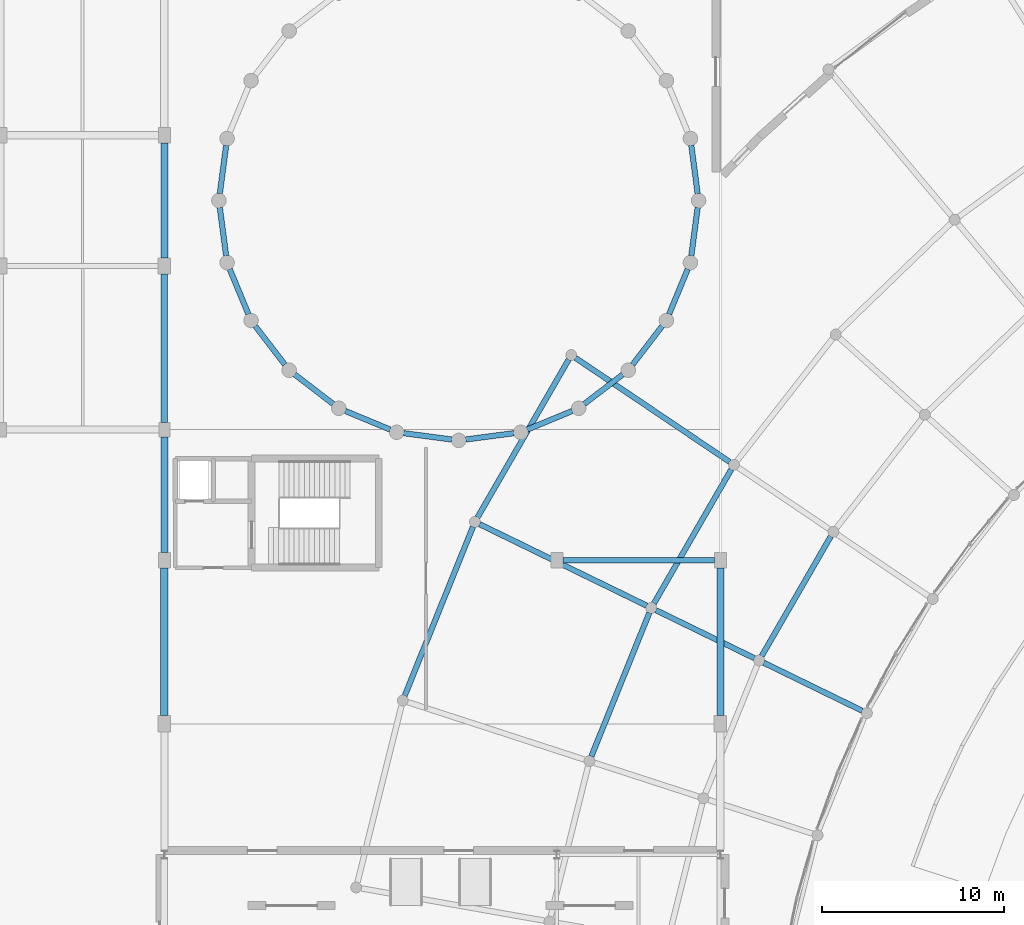
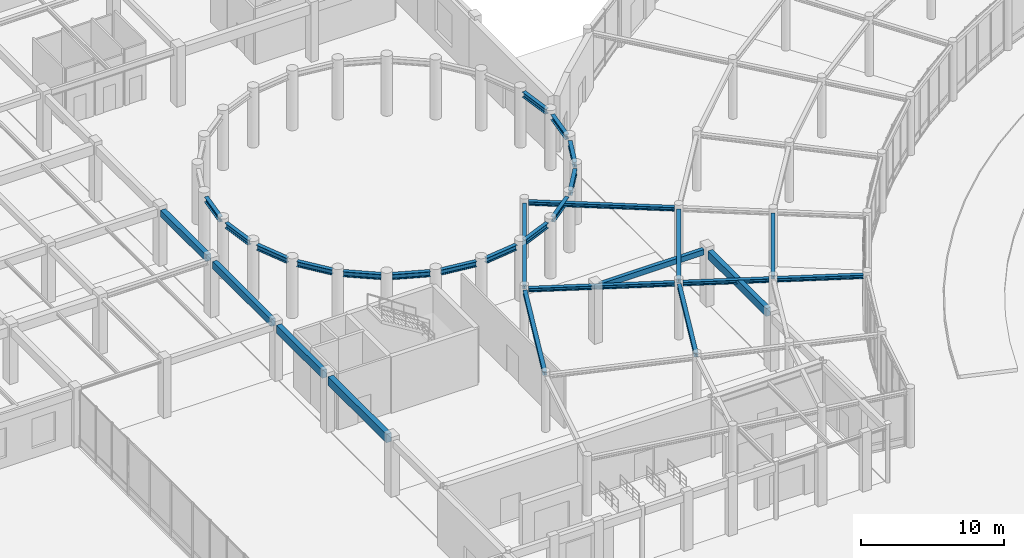
# One storey, part 18 of 64: 29 beams.
"""IFC4 building model written with IfcOpenShell, lengths in metres."""

from ifc_helpers import new_model, si_unit, direction, frame, origin, origin_2d, place, context, subcontext, project, spatial, rectangle, i_section, extrude, material, material_profile, profile_set, type_object, element, save


model = new_model("IFC4")

# Units and contexts
model_context = context("Model", 3, precision=1e-05, world=origin(), true_north=direction((0.0, 1.0)))
body_context = subcontext(model_context, "Body", "Model", "MODEL_VIEW")
ifc_project = project(units=[si_unit("LENGTHUNIT", "METRE"), si_unit("AREAUNIT", "SQUARE_METRE"), si_unit("VOLUMEUNIT", "CUBIC_METRE"), si_unit("PLANEANGLEUNIT", "RADIAN"), si_unit("MASSUNIT", "GRAM", prefix="KILO")], contexts=[model_context])

# Site, building, storey
site_placement = place(None, origin())
site = spatial("IfcSite", under=ifc_project, at=site_placement, CompositionType="ELEMENT")
building_placement = place(site_placement, origin())
building = spatial("IfcBuilding", under=site, at=building_placement, Name="Clarverna Civic Hall", CompositionType="ELEMENT")
storey_placement = place(building_placement, origin())
storey = spatial("IfcBuildingStorey", under=building, at=storey_placement, Name="L00", CompositionType="ELEMENT", Elevation=0.0)

# Beams
ifc_material_1 = material(Name="Concrete C35/45", Category="concrete")
ifc_material_profile_1 = material_profile(ifc_material_1, rectangle(XDim=0.300048828125, YDim=0.449951171875, at=origin_2d()), Name="RC 300x450")
ifc_profile_set_1 = profile_set([ifc_material_profile_1], Name="Concrete C35/45")
beam_type_1 = type_object("IfcBeamType", Name="B-RC18", PredefinedType="BEAM", material=ifc_profile_set_1)
beam_1_placement = place(storey_placement, frame((88.52490234375, 39.199951171875, 4.554931640625), z_axis=(1.0, 0.0, 0.0), x_axis=(0.0, 1.0, 0.0)))
element("IfcBeam", 1, at=beam_1_placement, inside=storey, type_object=beam_type_1, Name="B-RC18-014", PredefinedType="BEAM", context=body_context, shape_type="SweptSolid", body=[
    extrude(rectangle(XDim=0.300048828125, YDim=0.449951171875, at=origin_2d()), origin(), (0.0, 0.0, 1.0), 8.35009765625),
])
ifc_material_profile_2 = material_profile(ifc_material_1, rectangle(XDim=0.419921875, YDim=0.719970703125, at=origin_2d()), Name="RC 420x720")
ifc_profile_set_2 = profile_set([ifc_material_profile_2], Name="Concrete C35/45")
beam_type_2 = type_object("IfcBeamType", Name="B-SP1", PredefinedType="SPANDREL", material=ifc_profile_set_2)
beam_2_placement = place(storey_placement, frame((66.60009765625, 30.64990234375, 4.419921875), z_axis=(0.0, 1.0, 0.0), x_axis=(-1.0, 0.0, 0.0)))
element("IfcBeam", 2, at=beam_2_placement, inside=storey, type_object=beam_type_2, Name="B-SP1-050", PredefinedType="SPANDREL", context=body_context, shape_type="SweptSolid", body=[
    extrude(rectangle(XDim=0.419921875, YDim=0.719970703125, at=origin_2d()), origin(), (0.0, 0.0, 1.0), 8.125),
])
ifc_material_profile_3 = material_profile(ifc_material_1, rectangle(XDim=0.3798828125, YDim=0.679931640625, at=origin_2d()), Name="RC 380x680")
ifc_profile_set_3 = profile_set([ifc_material_profile_3], Name="Concrete C35/45")
beam_type_3 = type_object("IfcBeamType", Name="B-SP2", PredefinedType="SPANDREL", material=ifc_profile_set_3)
beam_3_placement = place(storey_placement, frame((66.60009765625, 39.625, 4.43994140625), z_axis=(0.0, 1.0, 0.0), x_axis=(-1.0, 0.0, 0.0)))
element("IfcBeam", 3, at=beam_3_placement, inside=storey, type_object=beam_type_3, Name="B-SP2-049", PredefinedType="SPANDREL", context=body_context, shape_type="SweptSolid", body=[
    extrude(rectangle(XDim=0.3798828125, YDim=0.679931640625, at=origin_2d()), origin(), (0.0, 0.0, 1.0), 6.375),
])
beam_4_placement = place(storey_placement, frame((97.199951171875, 30.64990234375, 4.43994140625), z_axis=(0.0, 1.0, 0.0), x_axis=(-1.0, 0.0, 0.0)))
element("IfcBeam", 4, at=beam_4_placement, inside=storey, type_object=beam_type_3, Name="B-SP2-052", PredefinedType="SPANDREL", context=body_context, shape_type="SweptSolid", body=[
    extrude(rectangle(XDim=0.3798828125, YDim=0.679931640625, at=origin_2d()), origin(), (0.0, 0.0, 1.0), 8.125),
])
ifc_material_profile_4 = material_profile(ifc_material_1, rectangle(XDim=0.360107421875, YDim=0.6201171875, at=origin_2d()), Name="RC 360x620")
ifc_profile_set_4 = profile_set([ifc_material_profile_4], Name="Concrete C35/45")
beam_type_4 = type_object("IfcBeamType", Name="B-SP3", PredefinedType="SPANDREL", material=ifc_profile_set_4)
beam_5_placement = place(storey_placement, frame((66.60009765625, 46.800048828125, 4.469970703125), z_axis=(0.0, 1.0, 0.0), x_axis=(-1.0, 0.0, 0.0)))
element("IfcBeam", 5, at=beam_5_placement, inside=storey, type_object=beam_type_4, Name="B-SP3-050", PredefinedType="SPANDREL", context=body_context, shape_type="SweptSolid", body=[
    extrude(rectangle(XDim=0.360107421875, YDim=0.6201171875, at=origin_2d()), origin(), (0.0, 0.0, 1.0), 8.14990234375),
])
ifc_material_profile_5 = material_profile(ifc_material_1, rectangle(XDim=0.39990234375, YDim=0.56005859375, at=origin_2d()), Name="RC 400x560")
ifc_profile_set_5 = profile_set([ifc_material_profile_5], Name="Concrete C35/45")
beam_type_5 = type_object("IfcBeamType", Name="B-SP4", PredefinedType="SPANDREL", material=ifc_profile_set_5)
beam_6_placement = place(storey_placement, frame((66.60009765625, 55.85009765625, 4.5), z_axis=(0.0, 1.0, 0.0), x_axis=(-1.0, 0.0, 0.0)))
element("IfcBeam", 6, at=beam_6_placement, inside=storey, type_object=beam_type_5, Name="B-SP4-047", PredefinedType="SPANDREL", context=body_context, shape_type="SweptSolid", body=[
    extrude(rectangle(XDim=0.39990234375, YDim=0.56005859375, at=origin_2d()), origin(), (0.0, 0.0, 1.0), 6.324951171875),
])
ifc_material_2 = material(Name="Steel S355", Category="steel")
ifc_material_profile_6 = material_profile(ifc_material_2, i_section(OverallWidth=0.300048828125, OverallDepth=0.43994140625, WebThickness=0.011474609375, FlangeThickness=0.02099609375, FilletRadius=0.027099609375, at=origin_2d()), Name="HEA 450")
ifc_profile_set_6 = profile_set([ifc_material_profile_6], Name="Steel S355")
beam_type_6 = type_object("IfcBeamType", Name="B-ST5", PredefinedType="BEAM", material=ifc_profile_set_6)
for number, where, z_axis, x_axis, name in (
    (7, (95.94970703125, 59.381591796875, 4.56005859375), (-0.130466312892, 0.991452742797, 0.0), (-0.991452742797, -0.130466312892, 0.0), "B-ST5-027"),
    (8, (69.99951171875, 62.03466796875, 4.56005859375), (-0.130466312892, -0.991452742797, 0.0), (0.991452742797, -0.130466312892, 0.0), "B-ST5-038"),
    (9, (69.650390625, 58.618408203125, 4.56005859375), (0.130466312892, -0.991452742797, 0.0), (0.991452742797, 0.130466312892, 0.0), "B-ST5-039"),
    (10, (70.197021484375, 55.227783203125, 4.56005859375), (0.382735878004, -0.923857807072, 0.0), (0.923857807072, 0.382735878004, 0.0), "B-ST5-040"),
):
    element("IfcBeam", number, at=place(storey_placement, frame(where, z_axis=z_axis, x_axis=x_axis)), inside=storey, type_object=beam_type_6, Name=name, PredefinedType="BEAM", context=body_context, shape_type="SweptSolid", body=[
        extrude(i_section(OverallWidth=0.300048828125, OverallDepth=0.43994140625, WebThickness=0.011474609375, FlangeThickness=0.02099609375, FilletRadius=0.027099609375, at=origin_2d()), origin(), (0.0, 0.0, 1.0), 2.676025390625),
    ])
beam_7_placement = place(storey_placement, frame((71.602783203125, 52.094482421875, 4.56005859375), z_axis=(0.60876670321, -0.793349293227, 0.0), x_axis=(0.793349293227, 0.60876670321, 0.0)))
element("IfcBeam", 11, at=beam_7_placement, inside=storey, type_object=beam_type_6, Name="B-ST5-041", PredefinedType="BEAM", context=body_context, shape_type="SweptSolid", body=[
    extrude(i_section(OverallWidth=0.300048828125, OverallDepth=0.43994140625, WebThickness=0.011474609375, FlangeThickness=0.02099609375, FilletRadius=0.027099609375, at=origin_2d()), origin(), (0.0, 0.0, 1.0), 2.67578125),
])
beam_8_placement = place(storey_placement, frame((73.771484375, 49.431884765625, 4.56005859375), z_axis=(0.793383103562, -0.608722638796, 0.0), x_axis=(0.608722638796, 0.793383103562, 0.0)))
element("IfcBeam", 12, at=beam_8_placement, inside=storey, type_object=beam_type_6, Name="B-ST5-042", PredefinedType="BEAM", context=body_context, shape_type="SweptSolid", body=[
    extrude(i_section(OverallWidth=0.300048828125, OverallDepth=0.43994140625, WebThickness=0.011474609375, FlangeThickness=0.02099609375, FilletRadius=0.027099609375, at=origin_2d()), origin(), (0.0, 0.0, 1.0), 2.676025390625),
])
for number, where, z_axis, x_axis, name in (
    (13, (76.5556640625, 47.421142578125, 4.56005859375), (0.923890065448, -0.382658002616, 0.0), (0.382658002616, 0.923890065448, 0.0), "B-ST5-043"),
    (14, (79.765380859375, 46.199462890625, 4.56005859375), (0.991451189631, -0.13047811533, 0.0), (0.13047811533, 0.991451189631, 0.0), "B-ST5-044"),
):
    element("IfcBeam", number, at=place(storey_placement, frame(where, z_axis=z_axis, x_axis=x_axis)), inside=storey, type_object=beam_type_6, Name=name, PredefinedType="BEAM", context=body_context, shape_type="SweptSolid", body=[
        extrude(i_section(OverallWidth=0.300048828125, OverallDepth=0.43994140625, WebThickness=0.011474609375, FlangeThickness=0.02099609375, FilletRadius=0.027099609375, at=origin_2d()), origin(), (0.0, 0.0, 1.0), 2.67578125),
    ])
beam_9_placement = place(storey_placement, frame((83.181640625, 45.850341796875, 4.56005859375), z_axis=(0.991452742797, 0.130466312892, 0.0), x_axis=(-0.130466312892, 0.991452742797, 0.0)))
element("IfcBeam", 15, at=beam_9_placement, inside=storey, type_object=beam_type_6, Name="B-ST5-045", PredefinedType="BEAM", context=body_context, shape_type="SweptSolid", body=[
    extrude(i_section(OverallWidth=0.300048828125, OverallDepth=0.43994140625, WebThickness=0.011474609375, FlangeThickness=0.02099609375, FilletRadius=0.027099609375, at=origin_2d()), origin(), (0.0, 0.0, 1.0), 2.676025390625),
])
beam_10_placement = place(storey_placement, frame((86.572021484375, 46.397216796875, 4.56005859375), z_axis=(0.923890065448, 0.382658002616, 0.0), x_axis=(-0.382658002616, 0.923890065448, 0.0)))
element("IfcBeam", 16, at=beam_10_placement, inside=storey, type_object=beam_type_6, Name="B-ST5-046", PredefinedType="BEAM", context=body_context, shape_type="SweptSolid", body=[
    extrude(i_section(OverallWidth=0.300048828125, OverallDepth=0.43994140625, WebThickness=0.011474609375, FlangeThickness=0.02099609375, FilletRadius=0.027099609375, at=origin_2d()), origin(), (0.0, 0.0, 1.0), 2.67578125),
])
beam_11_placement = place(storey_placement, frame((89.705322265625, 47.802978515625, 4.56005859375), z_axis=(0.793383103562, 0.608722638796, 0.0), x_axis=(-0.608722638796, 0.793383103562, 0.0)))
element("IfcBeam", 17, at=beam_11_placement, inside=storey, type_object=beam_type_6, Name="B-ST5-047", PredefinedType="BEAM", context=body_context, shape_type="SweptSolid", body=[
    extrude(i_section(OverallWidth=0.300048828125, OverallDepth=0.43994140625, WebThickness=0.011474609375, FlangeThickness=0.02099609375, FilletRadius=0.027099609375, at=origin_2d()), origin(), (0.0, 0.0, 1.0), 2.676025390625),
])
for number, where, z_axis, x_axis, name in (
    (18, (92.3681640625, 49.9716796875, 4.56005859375), (0.60876670321, 0.793349293227, 0.0), (-0.793349293227, 0.60876670321, 0.0), "B-ST5-048"),
    (19, (94.37890625, 52.755615234375, 4.56005859375), (0.382658002616, 0.923890065448, 0.0), (-0.923890065448, 0.382658002616, 0.0), "B-ST5-049"),
):
    element("IfcBeam", number, at=place(storey_placement, frame(where, z_axis=z_axis, x_axis=x_axis)), inside=storey, type_object=beam_type_6, Name=name, PredefinedType="BEAM", context=body_context, shape_type="SweptSolid", body=[
        extrude(i_section(OverallWidth=0.300048828125, OverallDepth=0.43994140625, WebThickness=0.011474609375, FlangeThickness=0.02099609375, FilletRadius=0.027099609375, at=origin_2d()), origin(), (0.0, 0.0, 1.0), 2.67578125),
    ])
beam_12_placement = place(storey_placement, frame((95.6005859375, 55.96533203125, 4.56005859375), z_axis=(0.130466312892, 0.991452742797, 0.0), x_axis=(-0.991452742797, 0.130466312892, 0.0)))
element("IfcBeam", 20, at=beam_12_placement, inside=storey, type_object=beam_type_6, Name="B-ST5-050", PredefinedType="BEAM", context=body_context, shape_type="SweptSolid", body=[
    extrude(i_section(OverallWidth=0.300048828125, OverallDepth=0.43994140625, WebThickness=0.011474609375, FlangeThickness=0.02099609375, FilletRadius=0.027099609375, at=origin_2d()), origin(), (0.0, 0.0, 1.0), 2.676025390625),
])
ifc_material_profile_7 = material_profile(ifc_material_2, i_section(OverallWidth=0.300048828125, OverallDepth=0.330078125, WebThickness=0.009521484375, FlangeThickness=0.0166015625, FilletRadius=0.027099609375, at=origin_2d()), Name="HEA 340")
ifc_profile_set_7 = profile_set([ifc_material_profile_7], Name="Steel S355")
beam_type_7 = type_object("IfcBeamType", Name="B-ST8", PredefinedType="BEAM", material=ifc_profile_set_7)
beam_13_placement = place(storey_placement, frame((103.27587890625, 40.52197265625, 4.614990234375), z_axis=(-0.499991985073, -0.866030031155, 0.0), x_axis=(0.866030031155, -0.499991985073, 0.0)))
element("IfcBeam", 21, at=beam_13_placement, inside=storey, type_object=beam_type_7, Name="B-ST8-035", PredefinedType="BEAM", context=body_context, shape_type="SweptSolid", body=[
    extrude(i_section(OverallWidth=0.300048828125, OverallDepth=0.330078125, WebThickness=0.009521484375, FlangeThickness=0.0166015625, FilletRadius=0.027099609375, at=origin_2d()), origin(), (0.0, 0.0, 1.0), 7.60546875),
])
for number, where, z_axis, x_axis, name in (
    (22, (97.80419921875, 44.212646484375, 4.614990234375), (-0.500000882812, -0.866024894092, 0.0), (0.866024894092, -0.500000882812, 0.0), "B-ST8-044"),
    (23, (93.291748046875, 36.317626953125, 4.614990234375), (-0.374587560071, -0.92719154431, 0.0), (0.92719154431, -0.374587560071, 0.0), "B-ST8-045"),
):
    element("IfcBeam", number, at=place(storey_placement, frame(where, z_axis=z_axis, x_axis=x_axis)), inside=storey, type_object=beam_type_7, Name=name, PredefinedType="BEAM", context=body_context, shape_type="SweptSolid", body=[
        extrude(i_section(OverallWidth=0.300048828125, OverallDepth=0.330078125, WebThickness=0.009521484375, FlangeThickness=0.0166015625, FilletRadius=0.027099609375, at=origin_2d()), origin(), (0.0, 0.0, 1.0), 8.5263671875),
    ])
beam_14_placement = place(storey_placement, frame((88.8505859375, 50.251953125, 4.614990234375), z_axis=(-0.499983646225, -0.866034845435, 0.0), x_axis=(0.866034845435, -0.499983646225, 0.0)))
element("IfcBeam", 24, at=beam_14_placement, inside=storey, type_object=beam_type_7, Name="B-ST8-051", PredefinedType="BEAM", context=body_context, shape_type="SweptSolid", body=[
    extrude(i_section(OverallWidth=0.300048828125, OverallDepth=0.330078125, WebThickness=0.009521484375, FlangeThickness=0.0166015625, FilletRadius=0.027099609375, at=origin_2d()), origin(), (0.0, 0.0, 1.0), 10.032958984375),
])
beam_15_placement = place(storey_placement, frame((83.5849609375, 41.052001953125, 4.614990234375), z_axis=(-0.374614724897, -0.927180569194, 0.0), x_axis=(0.927180569194, -0.374614724897, 0.0)))
element("IfcBeam", 25, at=beam_15_placement, inside=storey, type_object=beam_type_7, Name="B-ST8-052", PredefinedType="BEAM", context=body_context, shape_type="SweptSolid", body=[
    extrude(i_section(OverallWidth=0.300048828125, OverallDepth=0.330078125, WebThickness=0.009521484375, FlangeThickness=0.0166015625, FilletRadius=0.027099609375, at=origin_2d()), origin(), (0.0, 0.0, 1.0), 10.033203125),
])
ifc_material_profile_8 = material_profile(ifc_material_2, i_section(OverallWidth=0.300048828125, OverallDepth=0.31005859375, WebThickness=0.009033203125, FlangeThickness=0.015380859375, FilletRadius=0.027099609375, at=origin_2d()), Name="HEA 320")
ifc_profile_set_8 = profile_set([ifc_material_profile_8], Name="Steel S355")
beam_type_8 = type_object("IfcBeamType", Name="B-ST9", PredefinedType="BEAM", material=ifc_profile_set_8)
beam_16_placement = place(storey_placement, frame((97.71044921875, 44.618896484375, 4.625), z_axis=(-0.829038422899, 0.559191642782, 0.0), x_axis=(-0.559191642782, -0.829038422899, 0.0)))
element("IfcBeam", 26, at=beam_16_placement, inside=storey, type_object=beam_type_8, Name="B-ST9-041", PredefinedType="BEAM", context=body_context, shape_type="SweptSolid", body=[
    extrude(i_section(OverallWidth=0.300048828125, OverallDepth=0.31005859375, WebThickness=0.009033203125, FlangeThickness=0.015380859375, FilletRadius=0.027099609375, at=origin_2d()), origin(), (0.0, 0.0, 1.0), 10.22998046875),
])
for number, where, z_axis, x_axis, name in (
    (27, (105.006591796875, 30.920166015625, 4.625), (-0.898780896972, 0.438398105879, 0.0), (-0.438398105879, -0.898780896972, 0.0), "B-ST9-042"),
    (28, (99.074462890625, 33.8134765625, 4.625), (-0.89879684968, 0.438365398959, 0.0), (-0.438365398959, -0.89879684968, 0.0), "B-ST9-043"),
):
    element("IfcBeam", number, at=place(storey_placement, frame(where, z_axis=z_axis, x_axis=x_axis)), inside=storey, type_object=beam_type_8, Name=name, PredefinedType="BEAM", context=body_context, shape_type="SweptSolid", body=[
        extrude(i_section(OverallWidth=0.300048828125, OverallDepth=0.31005859375, WebThickness=0.009033203125, FlangeThickness=0.015380859375, FilletRadius=0.027099609375, at=origin_2d()), origin(), (0.0, 0.0, 1.0), 6.030029296875),
    ])
beam_17_placement = place(storey_placement, frame((93.142333984375, 36.706787109375, 4.625), z_axis=(-0.898784730169, 0.438390247171, 0.0), x_axis=(-0.438390247171, -0.898784730169, 0.0)))
element("IfcBeam", 29, at=beam_17_placement, inside=storey, type_object=beam_type_8, Name="B-ST9-044", PredefinedType="BEAM", context=body_context, shape_type="SweptSolid", body=[
    extrude(i_section(OverallWidth=0.300048828125, OverallDepth=0.31005859375, WebThickness=0.009033203125, FlangeThickness=0.015380859375, FilletRadius=0.027099609375, at=origin_2d()), origin(), (0.0, 0.0, 1.0), 10.229736328125),
])

save(model, "model.ifc")
